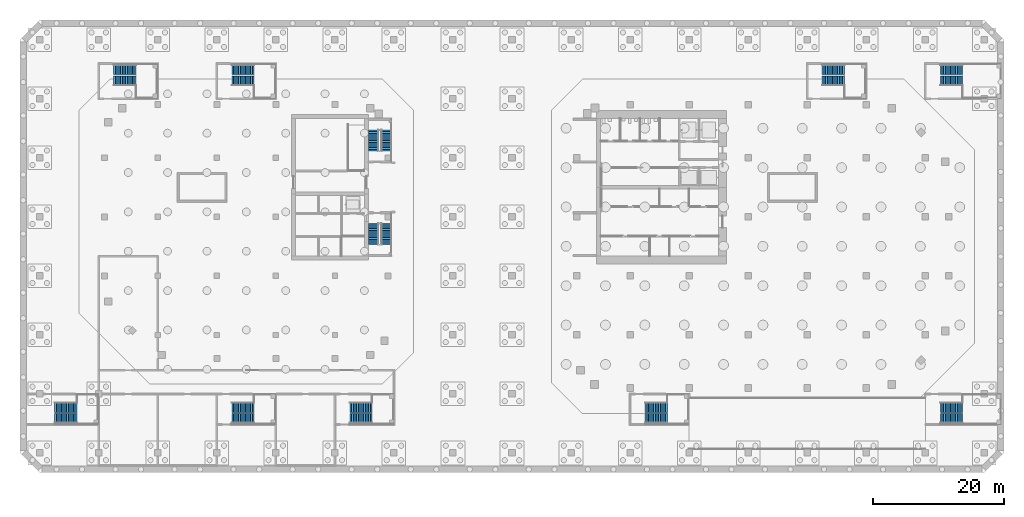
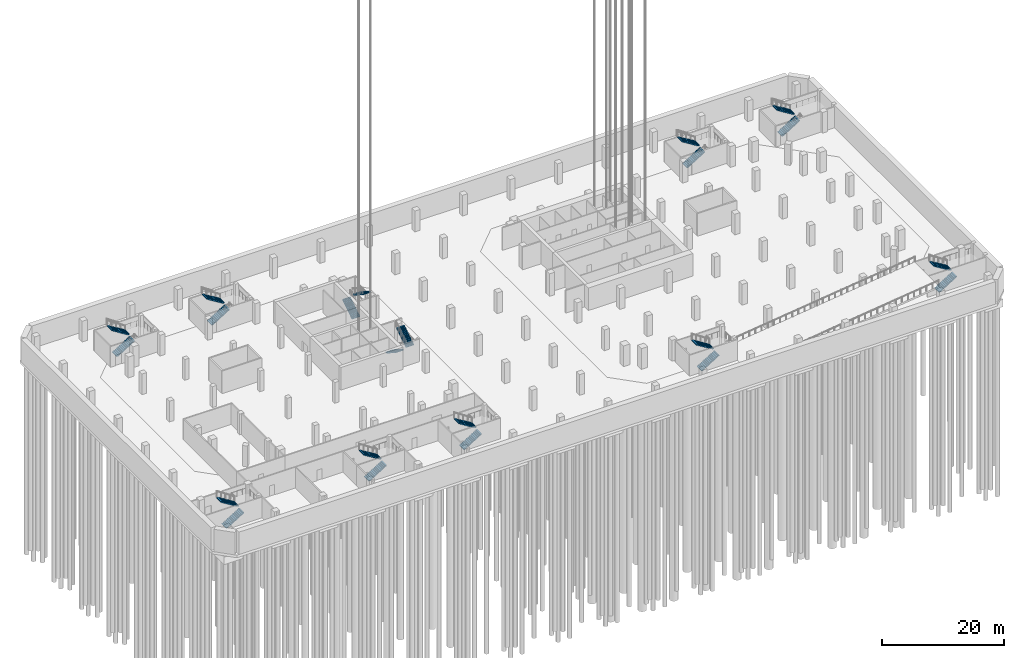
# One storey, part 24 of 30: 22 stair flights, 11 elements without a shape of their own.
"""IFC4 building model written with IfcOpenShell, lengths in metres."""

from ifc_helpers import new_model, si_unit, direction, frame, origin, place, context, subcontext, project, spatial, polyline, outline, extrude, material, type_object, element, aggregate, save


model = new_model("IFC4")

# Units and contexts
model_context = context("Model", 3, precision=1e-05, world=origin(), true_north=direction((0.0, 1.0)))
body_context = subcontext(model_context, "Body", "Model", "MODEL_VIEW")
ifc_project = project(units=[si_unit("LENGTHUNIT", "METRE"), si_unit("AREAUNIT", "SQUARE_METRE"), si_unit("VOLUMEUNIT", "CUBIC_METRE"), si_unit("PLANEANGLEUNIT", "RADIAN"), si_unit("MASSUNIT", "GRAM", prefix="KILO")], contexts=[model_context])

# Site, building, storey
site_placement = place(None, origin())
site = spatial("IfcSite", under=ifc_project, at=site_placement, CompositionType="ELEMENT")
building_placement = place(site_placement, origin())
building = spatial("IfcBuilding", under=site, at=building_placement, Name="Cinnabar Reach Civic Tower", CompositionType="ELEMENT")
storey_placement = place(building_placement, frame((0.0, 0.0, -14.0)))
storey = spatial("IfcBuildingStorey", under=building, at=storey_placement, Name="B3", CompositionType="ELEMENT", Elevation=-14.0)

# Stair, stair flights
ifc_material_1 = material(Name="Concrete C35", Category="concrete")
stair_type_1 = type_object("IfcStairType", Name="Podium exit stair 1500", PredefinedType="HALF_TURN_STAIR", material=ifc_material_1)
stair_1_placement = place(storey_placement, origin())
stair_1 = element("IfcStair", 1, at=stair_1_placement, inside=storey, type_object=stair_type_1, Name="Stair PS1", PredefinedType="HALF_TURN_STAIR")
stair_flight_type_1 = type_object("IfcStairFlightType", Name="Podium exit stair flight 1500", PredefinedType="STRAIGHT", material=ifc_material_1)
stair_flight_1_placement = place(storey_placement, frame((-78.71, -3.75, 0.0), z_axis=(0.0, 0.0, 1.0), x_axis=(1.0, 0.0, 0.0)))
stair_flight_1 = element("IfcStairFlight", 2, at=stair_flight_1_placement, type_object=stair_flight_type_1, Name="PS1 flight 1", NumberOfRisers=14, NumberOfTreads=13, PredefinedType="STRAIGHT", RiserHeight=0.160714286, TreadLength=0.26, context=body_context, shape_type="SweptSolid", body=[
    extrude(outline(polyline([(0.0, 0.0), (0.0, 0.1607), (0.26, 0.1607), (0.26, 0.3214), (0.52, 0.3214), (0.52, 0.4821), (0.78, 0.4821), (0.78, 0.6429), (1.04, 0.6429), (1.04, 0.8036), (1.3, 0.8036), (1.3, 0.9643), (1.56, 0.9643), (1.56, 1.125), (1.82, 1.125), (1.82, 1.2857), (2.08, 1.2857), (2.08, 1.4464), (2.34, 1.4464), (2.34, 1.6071), (2.6, 1.6071), (2.6, 1.7679), (2.86, 1.7679), (2.86, 1.9286), (3.12, 1.9286), (3.12, 2.0893), (3.38, 2.0893), (3.38, 2.25), (3.38, 1.9129), (0.2853, 0.0), (0.0, 0.0)])), frame((0.0, 0.75, 0.0), z_axis=(0.0, -1.0, 0.0), x_axis=(1.0, 0.0, 0.0)), (0.0, 0.0, 1.0), 1.5),
])
stair_flight_2_placement = place(storey_placement, frame((-75.33, -2.05, 2.25), z_axis=(0.0, 0.0, 1.0), x_axis=(-1.0, 0.0, 0.0)))
stair_flight_2 = element("IfcStairFlight", 3, at=stair_flight_2_placement, type_object=stair_flight_type_1, Name="PS1 flight 2", NumberOfRisers=14, NumberOfTreads=13, PredefinedType="STRAIGHT", RiserHeight=0.160714286, TreadLength=0.26, context=body_context, shape_type="SweptSolid", body=[
    extrude(outline(polyline([(0.0, 0.0), (0.0, 0.1607), (0.26, 0.1607), (0.26, 0.3214), (0.52, 0.3214), (0.52, 0.4821), (0.78, 0.4821), (0.78, 0.6429), (1.04, 0.6429), (1.04, 0.8036), (1.3, 0.8036), (1.3, 0.9643), (1.56, 0.9643), (1.56, 1.125), (1.82, 1.125), (1.82, 1.2857), (2.08, 1.2857), (2.08, 1.4464), (2.34, 1.4464), (2.34, 1.6071), (2.6, 1.6071), (2.6, 1.7679), (2.86, 1.7679), (2.86, 1.9286), (3.12, 1.9286), (3.12, 2.0893), (3.38, 2.0893), (3.38, 2.25), (3.38, 1.9129), (0.2853, 0.0), (0.0, 0.0)])), frame((0.0, 0.75, 0.0), z_axis=(0.0, -1.0, 0.0), x_axis=(1.0, 0.0, 0.0)), (0.0, 0.0, 1.0), 1.5),
])
aggregate(stair_1, [stair_flight_1, stair_flight_2])

stair_2_placement = place(storey_placement, origin())
stair_2 = element("IfcStair", 4, at=stair_2_placement, inside=storey, type_object=stair_type_1, Name="Stair PS2", PredefinedType="HALF_TURN_STAIR")
stair_flight_3_placement = place(storey_placement, frame((-69.71, 47.75, 0.0), z_axis=(0.0, 0.0, 1.0), x_axis=(1.0, 0.0, 0.0)))
stair_flight_3 = element("IfcStairFlight", 5, at=stair_flight_3_placement, type_object=stair_flight_type_1, Name="PS2 flight 1", NumberOfRisers=14, NumberOfTreads=13, PredefinedType="STRAIGHT", RiserHeight=0.160714286, TreadLength=0.26, context=body_context, shape_type="SweptSolid", body=[
    extrude(outline(polyline([(0.0, 0.0), (0.0, 0.1607), (0.26, 0.1607), (0.26, 0.3214), (0.52, 0.3214), (0.52, 0.4821), (0.78, 0.4821), (0.78, 0.6429), (1.04, 0.6429), (1.04, 0.8036), (1.3, 0.8036), (1.3, 0.9643), (1.56, 0.9643), (1.56, 1.125), (1.82, 1.125), (1.82, 1.2857), (2.08, 1.2857), (2.08, 1.4464), (2.34, 1.4464), (2.34, 1.6071), (2.6, 1.6071), (2.6, 1.7679), (2.86, 1.7679), (2.86, 1.9286), (3.12, 1.9286), (3.12, 2.0893), (3.38, 2.0893), (3.38, 2.25), (3.38, 1.9129), (0.2853, 0.0), (0.0, 0.0)])), frame((0.0, 0.75, 0.0), z_axis=(0.0, -1.0, 0.0), x_axis=(1.0, 0.0, 0.0)), (0.0, 0.0, 1.0), 1.5),
])
stair_flight_4_placement = place(storey_placement, frame((-66.33, 49.45, 2.25), z_axis=(0.0, 0.0, 1.0), x_axis=(-1.0, 0.0, 0.0)))
stair_flight_4 = element("IfcStairFlight", 6, at=stair_flight_4_placement, type_object=stair_flight_type_1, Name="PS2 flight 2", NumberOfRisers=14, NumberOfTreads=13, PredefinedType="STRAIGHT", RiserHeight=0.160714286, TreadLength=0.26, context=body_context, shape_type="SweptSolid", body=[
    extrude(outline(polyline([(0.0, 0.0), (0.0, 0.1607), (0.26, 0.1607), (0.26, 0.3214), (0.52, 0.3214), (0.52, 0.4821), (0.78, 0.4821), (0.78, 0.6429), (1.04, 0.6429), (1.04, 0.8036), (1.3, 0.8036), (1.3, 0.9643), (1.56, 0.9643), (1.56, 1.125), (1.82, 1.125), (1.82, 1.2857), (2.08, 1.2857), (2.08, 1.4464), (2.34, 1.4464), (2.34, 1.6071), (2.6, 1.6071), (2.6, 1.7679), (2.86, 1.7679), (2.86, 1.9286), (3.12, 1.9286), (3.12, 2.0893), (3.38, 2.0893), (3.38, 2.25), (3.38, 1.9129), (0.2853, 0.0), (0.0, 0.0)])), frame((0.0, 0.75, 0.0), z_axis=(0.0, -1.0, 0.0), x_axis=(1.0, 0.0, 0.0)), (0.0, 0.0, 1.0), 1.5),
])
aggregate(stair_2, [stair_flight_3, stair_flight_4])

stair_3_placement = place(storey_placement, origin())
stair_3 = element("IfcStair", 7, at=stair_3_placement, inside=storey, type_object=stair_type_1, Name="Stair PS3", PredefinedType="HALF_TURN_STAIR")
stair_flight_5_placement = place(storey_placement, frame((11.29, -3.75, 0.0), z_axis=(0.0, 0.0, 1.0), x_axis=(1.0, 0.0, 0.0)))
stair_flight_5 = element("IfcStairFlight", 8, at=stair_flight_5_placement, type_object=stair_flight_type_1, Name="PS3 flight 1", NumberOfRisers=14, NumberOfTreads=13, PredefinedType="STRAIGHT", RiserHeight=0.160714286, TreadLength=0.26, context=body_context, shape_type="SweptSolid", body=[
    extrude(outline(polyline([(0.0, 0.0), (0.0, 0.1607), (0.26, 0.1607), (0.26, 0.3214), (0.52, 0.3214), (0.52, 0.4821), (0.78, 0.4821), (0.78, 0.6429), (1.04, 0.6429), (1.04, 0.8036), (1.3, 0.8036), (1.3, 0.9643), (1.56, 0.9643), (1.56, 1.125), (1.82, 1.125), (1.82, 1.2857), (2.08, 1.2857), (2.08, 1.4464), (2.34, 1.4464), (2.34, 1.6071), (2.6, 1.6071), (2.6, 1.7679), (2.86, 1.7679), (2.86, 1.9286), (3.12, 1.9286), (3.12, 2.0893), (3.38, 2.0893), (3.38, 2.25), (3.38, 1.9129), (0.2853, 0.0), (0.0, 0.0)])), frame((0.0, 0.75, 0.0), z_axis=(0.0, -1.0, 0.0), x_axis=(1.0, 0.0, 0.0)), (0.0, 0.0, 1.0), 1.5),
])
stair_flight_6_placement = place(storey_placement, frame((14.67, -2.05, 2.25), z_axis=(0.0, 0.0, 1.0), x_axis=(-1.0, 0.0, 0.0)))
stair_flight_6 = element("IfcStairFlight", 9, at=stair_flight_6_placement, type_object=stair_flight_type_1, Name="PS3 flight 2", NumberOfRisers=14, NumberOfTreads=13, PredefinedType="STRAIGHT", RiserHeight=0.160714286, TreadLength=0.26, context=body_context, shape_type="SweptSolid", body=[
    extrude(outline(polyline([(0.0, 0.0), (0.0, 0.1607), (0.26, 0.1607), (0.26, 0.3214), (0.52, 0.3214), (0.52, 0.4821), (0.78, 0.4821), (0.78, 0.6429), (1.04, 0.6429), (1.04, 0.8036), (1.3, 0.8036), (1.3, 0.9643), (1.56, 0.9643), (1.56, 1.125), (1.82, 1.125), (1.82, 1.2857), (2.08, 1.2857), (2.08, 1.4464), (2.34, 1.4464), (2.34, 1.6071), (2.6, 1.6071), (2.6, 1.7679), (2.86, 1.7679), (2.86, 1.9286), (3.12, 1.9286), (3.12, 2.0893), (3.38, 2.0893), (3.38, 2.25), (3.38, 1.9129), (0.2853, 0.0), (0.0, 0.0)])), frame((0.0, 0.75, 0.0), z_axis=(0.0, -1.0, 0.0), x_axis=(1.0, 0.0, 0.0)), (0.0, 0.0, 1.0), 1.5),
])
aggregate(stair_3, [stair_flight_5, stair_flight_6])

stair_4_placement = place(storey_placement, origin())
stair_4 = element("IfcStair", 10, at=stair_4_placement, inside=storey, type_object=stair_type_1, Name="Stair PS4", PredefinedType="HALF_TURN_STAIR")
stair_flight_7_placement = place(storey_placement, frame((56.29, -3.75, 0.0), z_axis=(0.0, 0.0, 1.0), x_axis=(1.0, 0.0, 0.0)))
stair_flight_7 = element("IfcStairFlight", 11, at=stair_flight_7_placement, type_object=stair_flight_type_1, Name="PS4 flight 1", NumberOfRisers=14, NumberOfTreads=13, PredefinedType="STRAIGHT", RiserHeight=0.160714286, TreadLength=0.26, context=body_context, shape_type="SweptSolid", body=[
    extrude(outline(polyline([(0.0, 0.0), (0.0, 0.1607), (0.26, 0.1607), (0.26, 0.3214), (0.52, 0.3214), (0.52, 0.4821), (0.78, 0.4821), (0.78, 0.6429), (1.04, 0.6429), (1.04, 0.8036), (1.3, 0.8036), (1.3, 0.9643), (1.56, 0.9643), (1.56, 1.125), (1.82, 1.125), (1.82, 1.2857), (2.08, 1.2857), (2.08, 1.4464), (2.34, 1.4464), (2.34, 1.6071), (2.6, 1.6071), (2.6, 1.7679), (2.86, 1.7679), (2.86, 1.9286), (3.12, 1.9286), (3.12, 2.0893), (3.38, 2.0893), (3.38, 2.25), (3.38, 1.9129), (0.2853, 0.0), (0.0, 0.0)])), frame((0.0, 0.75, 0.0), z_axis=(0.0, -1.0, 0.0), x_axis=(1.0, 0.0, 0.0)), (0.0, 0.0, 1.0), 1.5),
])
stair_flight_8_placement = place(storey_placement, frame((59.67, -2.05, 2.25), z_axis=(0.0, 0.0, 1.0), x_axis=(-1.0, 0.0, 0.0)))
stair_flight_8 = element("IfcStairFlight", 12, at=stair_flight_8_placement, type_object=stair_flight_type_1, Name="PS4 flight 2", NumberOfRisers=14, NumberOfTreads=13, PredefinedType="STRAIGHT", RiserHeight=0.160714286, TreadLength=0.26, context=body_context, shape_type="SweptSolid", body=[
    extrude(outline(polyline([(0.0, 0.0), (0.0, 0.1607), (0.26, 0.1607), (0.26, 0.3214), (0.52, 0.3214), (0.52, 0.4821), (0.78, 0.4821), (0.78, 0.6429), (1.04, 0.6429), (1.04, 0.8036), (1.3, 0.8036), (1.3, 0.9643), (1.56, 0.9643), (1.56, 1.125), (1.82, 1.125), (1.82, 1.2857), (2.08, 1.2857), (2.08, 1.4464), (2.34, 1.4464), (2.34, 1.6071), (2.6, 1.6071), (2.6, 1.7679), (2.86, 1.7679), (2.86, 1.9286), (3.12, 1.9286), (3.12, 2.0893), (3.38, 2.0893), (3.38, 2.25), (3.38, 1.9129), (0.2853, 0.0), (0.0, 0.0)])), frame((0.0, 0.75, 0.0), z_axis=(0.0, -1.0, 0.0), x_axis=(1.0, 0.0, 0.0)), (0.0, 0.0, 1.0), 1.5),
])
aggregate(stair_4, [stair_flight_7, stair_flight_8])

stair_5_placement = place(storey_placement, origin())
stair_5 = element("IfcStair", 13, at=stair_5_placement, inside=storey, type_object=stair_type_1, Name="Stair PS5", PredefinedType="HALF_TURN_STAIR")
stair_flight_9_placement = place(storey_placement, frame((56.29, 47.75, 0.0), z_axis=(0.0, 0.0, 1.0), x_axis=(1.0, 0.0, 0.0)))
stair_flight_9 = element("IfcStairFlight", 14, at=stair_flight_9_placement, type_object=stair_flight_type_1, Name="PS5 flight 1", NumberOfRisers=14, NumberOfTreads=13, PredefinedType="STRAIGHT", RiserHeight=0.160714286, TreadLength=0.26, context=body_context, shape_type="SweptSolid", body=[
    extrude(outline(polyline([(0.0, 0.0), (0.0, 0.1607), (0.26, 0.1607), (0.26, 0.3214), (0.52, 0.3214), (0.52, 0.4821), (0.78, 0.4821), (0.78, 0.6429), (1.04, 0.6429), (1.04, 0.8036), (1.3, 0.8036), (1.3, 0.9643), (1.56, 0.9643), (1.56, 1.125), (1.82, 1.125), (1.82, 1.2857), (2.08, 1.2857), (2.08, 1.4464), (2.34, 1.4464), (2.34, 1.6071), (2.6, 1.6071), (2.6, 1.7679), (2.86, 1.7679), (2.86, 1.9286), (3.12, 1.9286), (3.12, 2.0893), (3.38, 2.0893), (3.38, 2.25), (3.38, 1.9129), (0.2853, 0.0), (0.0, 0.0)])), frame((0.0, 0.75, 0.0), z_axis=(0.0, -1.0, 0.0), x_axis=(1.0, 0.0, 0.0)), (0.0, 0.0, 1.0), 1.5),
])
stair_flight_10_placement = place(storey_placement, frame((59.67, 49.45, 2.25), z_axis=(0.0, 0.0, 1.0), x_axis=(-1.0, 0.0, 0.0)))
stair_flight_10 = element("IfcStairFlight", 15, at=stair_flight_10_placement, type_object=stair_flight_type_1, Name="PS5 flight 2", NumberOfRisers=14, NumberOfTreads=13, PredefinedType="STRAIGHT", RiserHeight=0.160714286, TreadLength=0.26, context=body_context, shape_type="SweptSolid", body=[
    extrude(outline(polyline([(0.0, 0.0), (0.0, 0.1607), (0.26, 0.1607), (0.26, 0.3214), (0.52, 0.3214), (0.52, 0.4821), (0.78, 0.4821), (0.78, 0.6429), (1.04, 0.6429), (1.04, 0.8036), (1.3, 0.8036), (1.3, 0.9643), (1.56, 0.9643), (1.56, 1.125), (1.82, 1.125), (1.82, 1.2857), (2.08, 1.2857), (2.08, 1.4464), (2.34, 1.4464), (2.34, 1.6071), (2.6, 1.6071), (2.6, 1.7679), (2.86, 1.7679), (2.86, 1.9286), (3.12, 1.9286), (3.12, 2.0893), (3.38, 2.0893), (3.38, 2.25), (3.38, 1.9129), (0.2853, 0.0), (0.0, 0.0)])), frame((0.0, 0.75, 0.0), z_axis=(0.0, -1.0, 0.0), x_axis=(1.0, 0.0, 0.0)), (0.0, 0.0, 1.0), 1.5),
])
aggregate(stair_5, [stair_flight_9, stair_flight_10])

stair_6_placement = place(storey_placement, origin())
stair_6 = element("IfcStair", 16, at=stair_6_placement, inside=storey, type_object=stair_type_1, Name="Stair PS6", PredefinedType="HALF_TURN_STAIR")
stair_flight_11_placement = place(storey_placement, frame((38.29, 47.75, 0.0), z_axis=(0.0, 0.0, 1.0), x_axis=(1.0, 0.0, 0.0)))
stair_flight_11 = element("IfcStairFlight", 17, at=stair_flight_11_placement, type_object=stair_flight_type_1, Name="PS6 flight 1", NumberOfRisers=14, NumberOfTreads=13, PredefinedType="STRAIGHT", RiserHeight=0.160714286, TreadLength=0.26, context=body_context, shape_type="SweptSolid", body=[
    extrude(outline(polyline([(0.0, 0.0), (0.0, 0.1607), (0.26, 0.1607), (0.26, 0.3214), (0.52, 0.3214), (0.52, 0.4821), (0.78, 0.4821), (0.78, 0.6429), (1.04, 0.6429), (1.04, 0.8036), (1.3, 0.8036), (1.3, 0.9643), (1.56, 0.9643), (1.56, 1.125), (1.82, 1.125), (1.82, 1.2857), (2.08, 1.2857), (2.08, 1.4464), (2.34, 1.4464), (2.34, 1.6071), (2.6, 1.6071), (2.6, 1.7679), (2.86, 1.7679), (2.86, 1.9286), (3.12, 1.9286), (3.12, 2.0893), (3.38, 2.0893), (3.38, 2.25), (3.38, 1.9129), (0.2853, 0.0), (0.0, 0.0)])), frame((0.0, 0.75, 0.0), z_axis=(0.0, -1.0, 0.0), x_axis=(1.0, 0.0, 0.0)), (0.0, 0.0, 1.0), 1.5),
])
stair_flight_12_placement = place(storey_placement, frame((41.67, 49.45, 2.25), z_axis=(0.0, 0.0, 1.0), x_axis=(-1.0, 0.0, 0.0)))
stair_flight_12 = element("IfcStairFlight", 18, at=stair_flight_12_placement, type_object=stair_flight_type_1, Name="PS6 flight 2", NumberOfRisers=14, NumberOfTreads=13, PredefinedType="STRAIGHT", RiserHeight=0.160714286, TreadLength=0.26, context=body_context, shape_type="SweptSolid", body=[
    extrude(outline(polyline([(0.0, 0.0), (0.0, 0.1607), (0.26, 0.1607), (0.26, 0.3214), (0.52, 0.3214), (0.52, 0.4821), (0.78, 0.4821), (0.78, 0.6429), (1.04, 0.6429), (1.04, 0.8036), (1.3, 0.8036), (1.3, 0.9643), (1.56, 0.9643), (1.56, 1.125), (1.82, 1.125), (1.82, 1.2857), (2.08, 1.2857), (2.08, 1.4464), (2.34, 1.4464), (2.34, 1.6071), (2.6, 1.6071), (2.6, 1.7679), (2.86, 1.7679), (2.86, 1.9286), (3.12, 1.9286), (3.12, 2.0893), (3.38, 2.0893), (3.38, 2.25), (3.38, 1.9129), (0.2853, 0.0), (0.0, 0.0)])), frame((0.0, 0.75, 0.0), z_axis=(0.0, -1.0, 0.0), x_axis=(1.0, 0.0, 0.0)), (0.0, 0.0, 1.0), 1.5),
])
aggregate(stair_6, [stair_flight_11, stair_flight_12])

stair_7_placement = place(storey_placement, origin())
stair_7 = element("IfcStair", 19, at=stair_7_placement, inside=storey, type_object=stair_type_1, Name="Stair PS7", PredefinedType="HALF_TURN_STAIR")
stair_flight_13_placement = place(storey_placement, frame((-51.71, 47.75, 0.0), z_axis=(0.0, 0.0, 1.0), x_axis=(1.0, 0.0, 0.0)))
stair_flight_13 = element("IfcStairFlight", 20, at=stair_flight_13_placement, type_object=stair_flight_type_1, Name="PS7 flight 1", NumberOfRisers=14, NumberOfTreads=13, PredefinedType="STRAIGHT", RiserHeight=0.160714286, TreadLength=0.26, context=body_context, shape_type="SweptSolid", body=[
    extrude(outline(polyline([(0.0, 0.0), (0.0, 0.1607), (0.26, 0.1607), (0.26, 0.3214), (0.52, 0.3214), (0.52, 0.4821), (0.78, 0.4821), (0.78, 0.6429), (1.04, 0.6429), (1.04, 0.8036), (1.3, 0.8036), (1.3, 0.9643), (1.56, 0.9643), (1.56, 1.125), (1.82, 1.125), (1.82, 1.2857), (2.08, 1.2857), (2.08, 1.4464), (2.34, 1.4464), (2.34, 1.6071), (2.6, 1.6071), (2.6, 1.7679), (2.86, 1.7679), (2.86, 1.9286), (3.12, 1.9286), (3.12, 2.0893), (3.38, 2.0893), (3.38, 2.25), (3.38, 1.9129), (0.2853, 0.0), (0.0, 0.0)])), frame((0.0, 0.75, 0.0), z_axis=(0.0, -1.0, 0.0), x_axis=(1.0, 0.0, 0.0)), (0.0, 0.0, 1.0), 1.5),
])
stair_flight_14_placement = place(storey_placement, frame((-48.33, 49.45, 2.25), z_axis=(0.0, 0.0, 1.0), x_axis=(-1.0, 0.0, 0.0)))
stair_flight_14 = element("IfcStairFlight", 21, at=stair_flight_14_placement, type_object=stair_flight_type_1, Name="PS7 flight 2", NumberOfRisers=14, NumberOfTreads=13, PredefinedType="STRAIGHT", RiserHeight=0.160714286, TreadLength=0.26, context=body_context, shape_type="SweptSolid", body=[
    extrude(outline(polyline([(0.0, 0.0), (0.0, 0.1607), (0.26, 0.1607), (0.26, 0.3214), (0.52, 0.3214), (0.52, 0.4821), (0.78, 0.4821), (0.78, 0.6429), (1.04, 0.6429), (1.04, 0.8036), (1.3, 0.8036), (1.3, 0.9643), (1.56, 0.9643), (1.56, 1.125), (1.82, 1.125), (1.82, 1.2857), (2.08, 1.2857), (2.08, 1.4464), (2.34, 1.4464), (2.34, 1.6071), (2.6, 1.6071), (2.6, 1.7679), (2.86, 1.7679), (2.86, 1.9286), (3.12, 1.9286), (3.12, 2.0893), (3.38, 2.0893), (3.38, 2.25), (3.38, 1.9129), (0.2853, 0.0), (0.0, 0.0)])), frame((0.0, 0.75, 0.0), z_axis=(0.0, -1.0, 0.0), x_axis=(1.0, 0.0, 0.0)), (0.0, 0.0, 1.0), 1.5),
])
aggregate(stair_7, [stair_flight_13, stair_flight_14])

stair_8_placement = place(storey_placement, origin())
stair_8 = element("IfcStair", 22, at=stair_8_placement, inside=storey, type_object=stair_type_1, Name="Stair PS8", PredefinedType="HALF_TURN_STAIR")
stair_flight_15_placement = place(storey_placement, frame((-51.71, -3.75, 0.0), z_axis=(0.0, 0.0, 1.0), x_axis=(1.0, 0.0, 0.0)))
stair_flight_15 = element("IfcStairFlight", 23, at=stair_flight_15_placement, type_object=stair_flight_type_1, Name="PS8 flight 1", NumberOfRisers=14, NumberOfTreads=13, PredefinedType="STRAIGHT", RiserHeight=0.160714286, TreadLength=0.26, context=body_context, shape_type="SweptSolid", body=[
    extrude(outline(polyline([(0.0, 0.0), (0.0, 0.1607), (0.26, 0.1607), (0.26, 0.3214), (0.52, 0.3214), (0.52, 0.4821), (0.78, 0.4821), (0.78, 0.6429), (1.04, 0.6429), (1.04, 0.8036), (1.3, 0.8036), (1.3, 0.9643), (1.56, 0.9643), (1.56, 1.125), (1.82, 1.125), (1.82, 1.2857), (2.08, 1.2857), (2.08, 1.4464), (2.34, 1.4464), (2.34, 1.6071), (2.6, 1.6071), (2.6, 1.7679), (2.86, 1.7679), (2.86, 1.9286), (3.12, 1.9286), (3.12, 2.0893), (3.38, 2.0893), (3.38, 2.25), (3.38, 1.9129), (0.2853, 0.0), (0.0, 0.0)])), frame((0.0, 0.75, 0.0), z_axis=(0.0, -1.0, 0.0), x_axis=(1.0, 0.0, 0.0)), (0.0, 0.0, 1.0), 1.5),
])
stair_flight_16_placement = place(storey_placement, frame((-48.33, -2.05, 2.25), z_axis=(0.0, 0.0, 1.0), x_axis=(-1.0, 0.0, 0.0)))
stair_flight_16 = element("IfcStairFlight", 24, at=stair_flight_16_placement, type_object=stair_flight_type_1, Name="PS8 flight 2", NumberOfRisers=14, NumberOfTreads=13, PredefinedType="STRAIGHT", RiserHeight=0.160714286, TreadLength=0.26, context=body_context, shape_type="SweptSolid", body=[
    extrude(outline(polyline([(0.0, 0.0), (0.0, 0.1607), (0.26, 0.1607), (0.26, 0.3214), (0.52, 0.3214), (0.52, 0.4821), (0.78, 0.4821), (0.78, 0.6429), (1.04, 0.6429), (1.04, 0.8036), (1.3, 0.8036), (1.3, 0.9643), (1.56, 0.9643), (1.56, 1.125), (1.82, 1.125), (1.82, 1.2857), (2.08, 1.2857), (2.08, 1.4464), (2.34, 1.4464), (2.34, 1.6071), (2.6, 1.6071), (2.6, 1.7679), (2.86, 1.7679), (2.86, 1.9286), (3.12, 1.9286), (3.12, 2.0893), (3.38, 2.0893), (3.38, 2.25), (3.38, 1.9129), (0.2853, 0.0), (0.0, 0.0)])), frame((0.0, 0.75, 0.0), z_axis=(0.0, -1.0, 0.0), x_axis=(1.0, 0.0, 0.0)), (0.0, 0.0, 1.0), 1.5),
])
aggregate(stair_8, [stair_flight_15, stair_flight_16])

stair_9_placement = place(storey_placement, origin())
stair_9 = element("IfcStair", 25, at=stair_9_placement, inside=storey, type_object=stair_type_1, Name="Stair PS9", PredefinedType="HALF_TURN_STAIR")
stair_flight_17_placement = place(storey_placement, frame((-33.71, -3.75, 0.0), z_axis=(0.0, 0.0, 1.0), x_axis=(1.0, 0.0, 0.0)))
stair_flight_17 = element("IfcStairFlight", 26, at=stair_flight_17_placement, type_object=stair_flight_type_1, Name="PS9 flight 1", NumberOfRisers=14, NumberOfTreads=13, PredefinedType="STRAIGHT", RiserHeight=0.160714286, TreadLength=0.26, context=body_context, shape_type="SweptSolid", body=[
    extrude(outline(polyline([(0.0, 0.0), (0.0, 0.1607), (0.26, 0.1607), (0.26, 0.3214), (0.52, 0.3214), (0.52, 0.4821), (0.78, 0.4821), (0.78, 0.6429), (1.04, 0.6429), (1.04, 0.8036), (1.3, 0.8036), (1.3, 0.9643), (1.56, 0.9643), (1.56, 1.125), (1.82, 1.125), (1.82, 1.2857), (2.08, 1.2857), (2.08, 1.4464), (2.34, 1.4464), (2.34, 1.6071), (2.6, 1.6071), (2.6, 1.7679), (2.86, 1.7679), (2.86, 1.9286), (3.12, 1.9286), (3.12, 2.0893), (3.38, 2.0893), (3.38, 2.25), (3.38, 1.9129), (0.2853, 0.0), (0.0, 0.0)])), frame((0.0, 0.75, 0.0), z_axis=(0.0, -1.0, 0.0), x_axis=(1.0, 0.0, 0.0)), (0.0, 0.0, 1.0), 1.5),
])
stair_flight_18_placement = place(storey_placement, frame((-30.33, -2.05, 2.25), z_axis=(0.0, 0.0, 1.0), x_axis=(-1.0, 0.0, 0.0)))
stair_flight_18 = element("IfcStairFlight", 27, at=stair_flight_18_placement, type_object=stair_flight_type_1, Name="PS9 flight 2", NumberOfRisers=14, NumberOfTreads=13, PredefinedType="STRAIGHT", RiserHeight=0.160714286, TreadLength=0.26, context=body_context, shape_type="SweptSolid", body=[
    extrude(outline(polyline([(0.0, 0.0), (0.0, 0.1607), (0.26, 0.1607), (0.26, 0.3214), (0.52, 0.3214), (0.52, 0.4821), (0.78, 0.4821), (0.78, 0.6429), (1.04, 0.6429), (1.04, 0.8036), (1.3, 0.8036), (1.3, 0.9643), (1.56, 0.9643), (1.56, 1.125), (1.82, 1.125), (1.82, 1.2857), (2.08, 1.2857), (2.08, 1.4464), (2.34, 1.4464), (2.34, 1.6071), (2.6, 1.6071), (2.6, 1.7679), (2.86, 1.7679), (2.86, 1.9286), (3.12, 1.9286), (3.12, 2.0893), (3.38, 2.0893), (3.38, 2.25), (3.38, 1.9129), (0.2853, 0.0), (0.0, 0.0)])), frame((0.0, 0.75, 0.0), z_axis=(0.0, -1.0, 0.0), x_axis=(1.0, 0.0, 0.0)), (0.0, 0.0, 1.0), 1.5),
])
aggregate(stair_9, [stair_flight_17, stair_flight_18])

ifc_material_2 = material(Name="Concrete C40", Category="concrete")
stair_type_2 = type_object("IfcStairType", Name="T2 Exit stair 1500", PredefinedType="HALF_TURN_STAIR", material=ifc_material_2)
stair_10_placement = place(storey_placement, origin())
stair_10 = element("IfcStair", 28, at=stair_10_placement, inside=storey, type_object=stair_type_2, Name="Exit stair 1", PredefinedType="HALF_TURN_STAIR")
stair_flight_type_2 = type_object("IfcStairFlightType", Name="T2 Stair flight 1500", PredefinedType="STRAIGHT", material=ifc_material_2)
stair_flight_19_placement = place(storey_placement, frame((-30.15, 26.0, 0.0), z_axis=(0.0, 0.0, 1.0), x_axis=(0.0, -1.0, 0.0)))
stair_flight_19 = element("IfcStairFlight", 29, at=stair_flight_19_placement, type_object=stair_flight_type_2, Name="ST1 flight 1", NumberOfRisers=13, NumberOfTreads=12, PredefinedType="STRAIGHT", RiserHeight=0.173076923, TreadLength=0.270833333, context=body_context, shape_type="SweptSolid", body=[
    extrude(outline(polyline([(0.0, 0.0), (0.0, 0.1731), (0.2708, 0.1731), (0.2708, 0.3462), (0.5417, 0.3462), (0.5417, 0.5192), (0.8125, 0.5192), (0.8125, 0.6923), (1.0833, 0.6923), (1.0833, 0.8654), (1.3542, 0.8654), (1.3542, 1.0385), (1.625, 1.0385), (1.625, 1.2115), (1.8958, 1.2115), (1.8958, 1.3846), (2.1667, 1.3846), (2.1667, 1.5577), (2.4375, 1.5577), (2.4375, 1.7308), (2.7083, 1.7308), (2.7083, 1.9038), (2.9792, 1.9038), (2.9792, 2.0769), (3.25, 2.0769), (3.25, 2.25), (3.25, 1.8989), (0.2786, 0.0), (0.0, 0.0)])), frame((0.0, 0.75, 0.0), z_axis=(0.0, -1.0, 0.0), x_axis=(1.0, 0.0, 0.0)), (0.0, 0.0, 1.0), 1.5),
])
stair_flight_20_placement = place(storey_placement, frame((-28.15, 22.75, 2.25), z_axis=(0.0, 0.0, 1.0), x_axis=(0.0, 1.0, 0.0)))
stair_flight_20 = element("IfcStairFlight", 30, at=stair_flight_20_placement, type_object=stair_flight_type_2, Name="ST1 flight 2", NumberOfRisers=13, NumberOfTreads=12, PredefinedType="STRAIGHT", RiserHeight=0.173076923, TreadLength=0.270833333, context=body_context, shape_type="SweptSolid", body=[
    extrude(outline(polyline([(0.0, 0.0), (0.0, 0.1731), (0.2708, 0.1731), (0.2708, 0.3462), (0.5417, 0.3462), (0.5417, 0.5192), (0.8125, 0.5192), (0.8125, 0.6923), (1.0833, 0.6923), (1.0833, 0.8654), (1.3542, 0.8654), (1.3542, 1.0385), (1.625, 1.0385), (1.625, 1.2115), (1.8958, 1.2115), (1.8958, 1.3846), (2.1667, 1.3846), (2.1667, 1.5577), (2.4375, 1.5577), (2.4375, 1.7308), (2.7083, 1.7308), (2.7083, 1.9038), (2.9792, 1.9038), (2.9792, 2.0769), (3.25, 2.0769), (3.25, 2.25), (3.25, 1.8989), (0.2786, 0.0), (0.0, 0.0)])), frame((0.0, 0.75, 0.0), z_axis=(0.0, -1.0, 0.0), x_axis=(1.0, 0.0, 0.0)), (0.0, 0.0, 1.0), 1.5),
])
aggregate(stair_10, [stair_flight_19, stair_flight_20])

stair_11_placement = place(storey_placement, origin())
stair_11 = element("IfcStair", 31, at=stair_11_placement, inside=storey, type_object=stair_type_2, Name="Exit stair 2", PredefinedType="HALF_TURN_STAIR")
stair_flight_21_placement = place(storey_placement, frame((-30.15, 37.0, 0.0), z_axis=(0.0, 0.0, 1.0), x_axis=(0.0, 1.0, 0.0)))
stair_flight_21 = element("IfcStairFlight", 32, at=stair_flight_21_placement, type_object=stair_flight_type_2, Name="ST2 flight 1", NumberOfRisers=13, NumberOfTreads=12, PredefinedType="STRAIGHT", RiserHeight=0.173076923, TreadLength=0.270833333, context=body_context, shape_type="SweptSolid", body=[
    extrude(outline(polyline([(0.0, 0.0), (0.0, 0.1731), (0.2708, 0.1731), (0.2708, 0.3462), (0.5417, 0.3462), (0.5417, 0.5192), (0.8125, 0.5192), (0.8125, 0.6923), (1.0833, 0.6923), (1.0833, 0.8654), (1.3542, 0.8654), (1.3542, 1.0385), (1.625, 1.0385), (1.625, 1.2115), (1.8958, 1.2115), (1.8958, 1.3846), (2.1667, 1.3846), (2.1667, 1.5577), (2.4375, 1.5577), (2.4375, 1.7308), (2.7083, 1.7308), (2.7083, 1.9038), (2.9792, 1.9038), (2.9792, 2.0769), (3.25, 2.0769), (3.25, 2.25), (3.25, 1.8989), (0.2786, 0.0), (0.0, 0.0)])), frame((0.0, 0.75, 0.0), z_axis=(0.0, -1.0, 0.0), x_axis=(1.0, 0.0, 0.0)), (0.0, 0.0, 1.0), 1.5),
])
stair_flight_22_placement = place(storey_placement, frame((-28.15, 40.25, 2.25), z_axis=(0.0, 0.0, 1.0), x_axis=(0.0, -1.0, 0.0)))
stair_flight_22 = element("IfcStairFlight", 33, at=stair_flight_22_placement, type_object=stair_flight_type_2, Name="ST2 flight 2", NumberOfRisers=13, NumberOfTreads=12, PredefinedType="STRAIGHT", RiserHeight=0.173076923, TreadLength=0.270833333, context=body_context, shape_type="SweptSolid", body=[
    extrude(outline(polyline([(0.0, 0.0), (0.0, 0.1731), (0.2708, 0.1731), (0.2708, 0.3462), (0.5417, 0.3462), (0.5417, 0.5192), (0.8125, 0.5192), (0.8125, 0.6923), (1.0833, 0.6923), (1.0833, 0.8654), (1.3542, 0.8654), (1.3542, 1.0385), (1.625, 1.0385), (1.625, 1.2115), (1.8958, 1.2115), (1.8958, 1.3846), (2.1667, 1.3846), (2.1667, 1.5577), (2.4375, 1.5577), (2.4375, 1.7308), (2.7083, 1.7308), (2.7083, 1.9038), (2.9792, 1.9038), (2.9792, 2.0769), (3.25, 2.0769), (3.25, 2.25), (3.25, 1.8989), (0.2786, 0.0), (0.0, 0.0)])), frame((0.0, 0.75, 0.0), z_axis=(0.0, -1.0, 0.0), x_axis=(1.0, 0.0, 0.0)), (0.0, 0.0, 1.0), 1.5),
])
aggregate(stair_11, [stair_flight_21, stair_flight_22])

save(model, "model.ifc")
